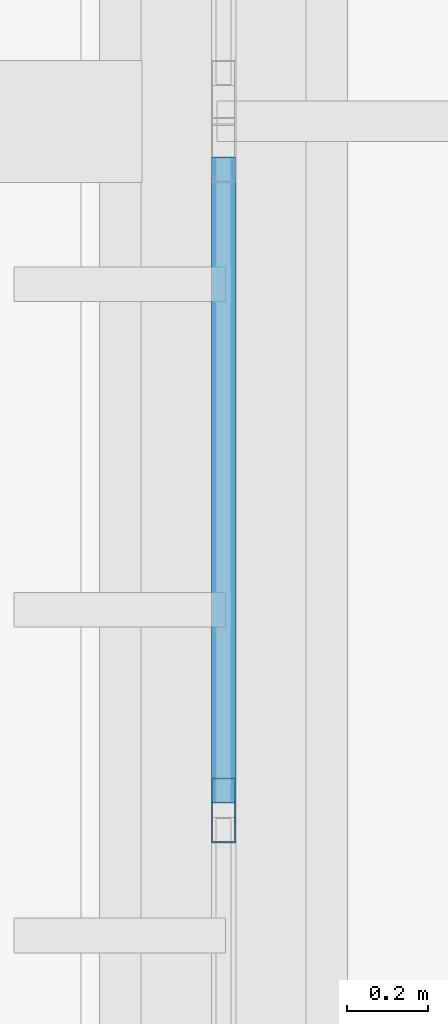
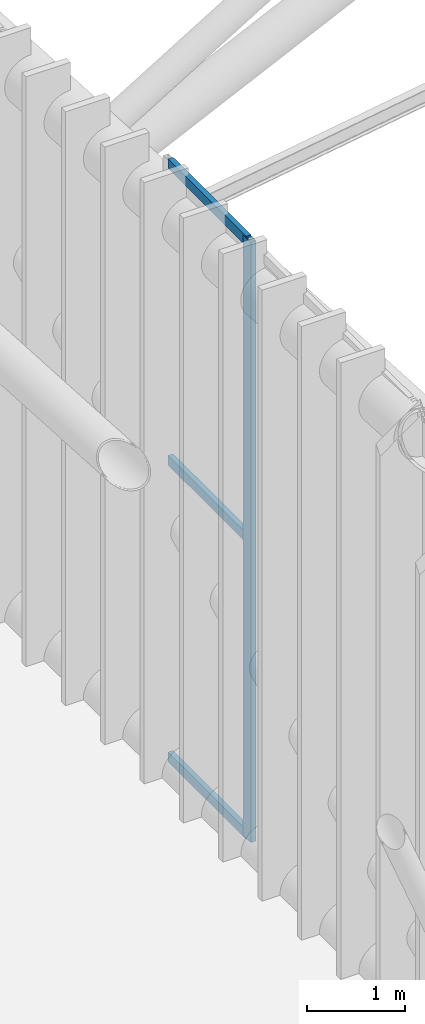
# One storey, part 177 of 397: 4 members, 1 element without a shape of its own.
"""IFC4 building model written with IfcOpenShell, lengths in metres."""

import ifcopenshell
import ifcopenshell.guid

model = None  # the IFC model being written
_history = None  # IfcOwnerHistory: only IFC2X3 demands one
_inside = {}  # id of a spatial element -> (the spatial element, [elements in it])
_under = {}  # id of a project, library or spatial element -> (it, [spatial elements below it])
_declared = {}  # id of a project -> (the project, [libraries it declares])
_typed = {}  # id of a type object -> (the type object, [elements of that type])
_made_of = {}  # id of a material, layer set ... -> (it, [elements and type objects made of it])


def new_model(schema):
    """Start an empty IFC model of exactly this schema.

    Asked for "IFC4X3", IfcOpenShell would pick the latest addendum, in which some entities
    have other attributes; the version numbers below select the first issue.
    IFC2X3 requires an IfcOwnerHistory on every rooted entity: one is made here for all.
    """
    global model, _history
    if schema == "IFC4X3":
        model = ifcopenshell.file(schema_version=(4, 3, 0, 0))
    else:
        model = ifcopenshell.file(schema=schema)
    _inside.clear()
    _under.clear()
    _declared.clear()
    _typed.clear()
    _made_of.clear()
    _history = None
    if model.schema == "IFC2X3":
        org = make("IfcOrganization", Name="unknown")
        user = make(
            "IfcPersonAndOrganization",
            ThePerson=make("IfcPerson", FamilyName="unknown"),
            TheOrganization=org,
        )
        app = make(
            "IfcApplication",
            ApplicationDeveloper=org,
            Version="unknown",
            ApplicationFullName="unknown",
            ApplicationIdentifier="unknown",
        )
        _history = make(
            "IfcOwnerHistory",
            OwningUser=user,
            OwningApplication=app,
            ChangeAction="ADDED",
            CreationDate=0,
        )
    return model


def make(cls, **values):
    """One entity of the class cls with the attributes given. An attribute that is None is left unset."""
    return model.create_entity(
        cls, **{name: value for name, value in values.items() if value is not None}
    )


def rooted(cls, **values):
    """An entity with a GlobalId (a new one), such as an element, a storey or a relation."""
    return make(cls, GlobalId=ifcopenshell.guid.new(), OwnerHistory=_history, **values)


def si_unit(unit_type, name, prefix=None):
    """IfcSIUnit, for example si_unit("LENGTHUNIT", "METRE", prefix="MILLI")."""
    return make("IfcSIUnit", UnitType=unit_type, Prefix=prefix, Name=name)


def assignment(units):
    """IfcUnitAssignment: the units of a project."""
    return None if units is None else make("IfcUnitAssignment", Units=units)


def point(xyz):
    """IfcCartesianPoint."""
    return None if xyz is None else make("IfcCartesianPoint", Coordinates=xyz)


def direction(xyz):
    """IfcDirection."""
    return None if xyz is None else make("IfcDirection", DirectionRatios=xyz)


def frame(location, z_axis=None, x_axis=None):
    """IfcAxis2Placement3D, a coordinate frame: its origin and axes. An axis left out is left unset."""
    return make(
        "IfcAxis2Placement3D",
        Location=point(location),
        Axis=direction(z_axis),
        RefDirection=direction(x_axis),
    )


def frame_2d(location, x_axis=None):
    """IfcAxis2Placement2D, a coordinate frame in the plane: its origin and x axis."""
    return make(
        "IfcAxis2Placement2D", Location=point(location), RefDirection=direction(x_axis)
    )


def origin():
    """The frame at (0, 0, 0) with its axes left unset."""
    return frame((0.0, 0.0, 0.0))


def origin_2d():
    """The frame at (0, 0) in the plane with its x axis left unset."""
    return frame_2d((0.0, 0.0))


def place(relative_to, where):
    """IfcLocalPlacement: puts the frame where relative to a parent placement (None: the world)."""
    return make(
        "IfcLocalPlacement", PlacementRelTo=relative_to, RelativePlacement=where
    )


def context(
    kind, dimensions, precision=None, world=None, true_north=None, identifier=None
):
    """IfcGeometricRepresentationContext, for example the 3D "Model" context."""
    return make(
        "IfcGeometricRepresentationContext",
        ContextIdentifier=identifier,
        ContextType=kind,
        CoordinateSpaceDimension=dimensions,
        Precision=precision,
        WorldCoordinateSystem=world,
        TrueNorth=true_north,
    )


def subcontext(parent, identifier, kind, view, scale=None):
    """IfcGeometricRepresentationSubContext, for example "Body" below "Model"."""
    return make(
        "IfcGeometricRepresentationSubContext",
        ContextIdentifier=identifier,
        ContextType=kind,
        ParentContext=parent,
        TargetScale=scale,
        TargetView=view,
    )


def project(units=None, contexts=None):
    """IfcProject with its units and contexts."""
    return rooted(
        "IfcProject",
        Name="project",
        RepresentationContexts=contexts,
        UnitsInContext=assignment(units),
    )


def spatial(cls, under=None, at=None, **own):
    """A site, building, storey or space (cls), placed at a placement, below another one or the project."""
    s = rooted(cls, ObjectPlacement=at, **own)
    if under is not None:
        _under.setdefault(under.id(), (under, []))[1].append(s)
    return s


def profile(cls, at=None, kind="AREA", **sizes):
    """A parametric profile (cls). Its sizes go by their IFC names, for example OverallWidth=200.0."""
    return make(cls, ProfileType=kind, Position=at, **sizes)


def hollow_rectangle(**sizes):
    """IfcRectangleHollowProfileDef."""
    return profile("IfcRectangleHollowProfileDef", **sizes)


def extrude(swept, where, along, depth):
    """IfcExtrudedAreaSolid: the profile swept, set in the frame where, extruded along a direction by depth."""
    return make(
        "IfcExtrudedAreaSolid",
        SweptArea=swept,
        Position=where,
        ExtrudedDirection=direction(along),
        Depth=depth,
    )


def shape(context_of_items, identifier, shape_type, items):
    """IfcShapeRepresentation: the items that make up one representation, for example the "Body"."""
    return make(
        "IfcShapeRepresentation",
        ContextOfItems=context_of_items,
        RepresentationIdentifier=identifier,
        RepresentationType=shape_type,
        Items=items,
    )


def material(Name=None, Category=None):
    """IfcMaterial."""
    return make("IfcMaterial", Name=Name, Category=Category)


def material_profile(
    of_material, cross_section, Name=None, Category=None, Priority=None
):
    """IfcMaterialProfile: a cross section and its material."""
    return make(
        "IfcMaterialProfile",
        Name=Name,
        Material=of_material,
        Profile=cross_section,
        Priority=Priority,
        Category=Category,
    )


def profile_set(profiles, Name=None, composite=None):
    """IfcMaterialProfileSet."""
    return make(
        "IfcMaterialProfileSet",
        Name=Name,
        MaterialProfiles=profiles,
        CompositeProfile=composite,
    )


def made_of(thing, what):
    """Note that an element or type object is made of a material, layer set ...; save() writes the relation."""
    if what is not None:
        _made_of.setdefault(what.id(), (what, []))[1].append(thing)
    return thing


def type_object(cls, material=None, **own):
    """A type object (cls), such as IfcWallType, which elements share."""
    return made_of(rooted(cls, **own), material)


def element(
    cls,
    number,
    at=None,
    inside=None,
    cuts=None,
    type_object=None,
    material=None,
    context=None,
    identifier="Body",
    shape_type=None,
    held_by="IfcProductDefinitionShape",
    body=None,
    shapes=None,
    **own,
):
    """One element of the class cls, such as IfcWall. Its Tag is "e" and its number.

    at: its placement. inside: the storey or other place that contains it. cuts: it is an
    opening in that element (IfcRelVoidsElement). A single representation is given by context,
    identifier, shape_type and body (its items); several are given by shapes. held_by: the class
    of the entity that holds the representations. save() writes the other relations.
    """
    e = rooted(cls, Tag="e%d" % number, ObjectPlacement=at, **own)
    if body is not None:
        shapes = [shape(context, identifier, shape_type, body)]
    if shapes is not None:
        e.Representation = make(held_by, Representations=shapes)
    if inside is not None:
        _inside.setdefault(inside.id(), (inside, []))[1].append(e)
    if cuts is not None:
        rooted(
            "IfcRelVoidsElement", RelatingBuildingElement=cuts, RelatedOpeningElement=e
        )
    if type_object is not None:
        _typed.setdefault(type_object.id(), (type_object, []))[1].append(e)
    return made_of(e, material)


def aggregate(whole, parts):
    """IfcRelAggregates: a whole, such as a stair, and the parts it consists of."""
    return rooted("IfcRelAggregates", RelatingObject=whole, RelatedObjects=parts)


def save(model, path):
    """Write the relations noted so far, then the file.

    IfcRelAggregates (storeys below a building ...), IfcRelContainedInSpatialStructure (elements
    in a storey), IfcRelDefinesByType, IfcRelAssociatesMaterial and IfcRelDeclares: one each for
    every whole, place, type object, material and project.
    """
    for whole, parts in _under.values():
        aggregate(whole, parts)
    for where, things in _inside.values():
        rooted(
            "IfcRelContainedInSpatialStructure",
            RelatedElements=things,
            RelatingStructure=where,
        )
    for kind, things in _typed.values():
        rooted("IfcRelDefinesByType", RelatedObjects=things, RelatingType=kind)
    for what, things in _made_of.values():
        rooted("IfcRelAssociatesMaterial", RelatedObjects=things, RelatingMaterial=what)
    for by, libraries in _declared.values():
        rooted("IfcRelDeclares", RelatingContext=by, RelatedDefinitions=libraries)
    model.write(path)


model = new_model("IFC4")

# Units and contexts
model_context = context("Model", 3, precision=1e-05, world=origin(), true_north=direction((0.0, 1.0)))
body_context = subcontext(model_context, "Body", "Model", "MODEL_VIEW")
ifc_project = project(units=[si_unit("LENGTHUNIT", "METRE"), si_unit("AREAUNIT", "SQUARE_METRE"), si_unit("VOLUMEUNIT", "CUBIC_METRE"), si_unit("PLANEANGLEUNIT", "RADIAN"), si_unit("MASSUNIT", "GRAM", prefix="KILO")], contexts=[model_context])

# Site, building, storey
site_placement = place(None, origin())
site = spatial("IfcSite", under=ifc_project, at=site_placement, CompositionType="ELEMENT")
building_placement = place(site_placement, origin())
building = spatial("IfcBuilding", under=site, at=building_placement, Name="Qandorah Velis Arena", CompositionType="ELEMENT")
storey_placement = place(building_placement, frame((0.0, 0.0, 27.5)))
storey = spatial("IfcBuildingStorey", under=building, at=storey_placement, Name="RF", CompositionType="ELEMENT", Elevation=27.5)

# Curtain wall, members
ifc_material_1 = material(Name="Solar-control low-E double glazing", Category="glass")
curtain_wall_type = type_object("IfcCurtainWallType", Name="ARC-CW-SYS05", PredefinedType="USERDEFINED", material=ifc_material_1)
curtain_wall_placement = place(storey_placement, origin())
curtain_wall = element("IfcCurtainWall", 1, at=curtain_wall_placement, inside=storey, type_object=curtain_wall_type, Name="Unitised curtain wall CROWN-1-05S1", ObjectType="UNITISED CURTAIN WALL", PredefinedType="USERDEFINED")
ifc_material_2 = material(Name="Champagne-bronze anodized aluminium 6063-T6", Category="aluminium")
ifc_material_profile_1 = material_profile(ifc_material_2, hollow_rectangle(XDim=0.06005859375, YDim=0.159912109375, WallThickness=0.00341796875, at=origin_2d()), Name="ALU MULLION 60x160")
ifc_profile_set_1 = profile_set([ifc_material_profile_1], Name="Champagne-bronze anodized aluminium 6063-T6")
member_type_1 = type_object("IfcMemberType", Name="ARC-CWM-160", PredefinedType="MULLION", material=ifc_profile_set_1)
member_1_placement = place(storey_placement, frame((14.39990234375, 77.507568359375, -0.014892578125), z_axis=(0.0, 0.0, 1.0), x_axis=(-1.0, 0.0, 0.0)))
member_1 = element("IfcMember", 2, at=member_1_placement, type_object=member_type_1, Name="CW05 mullion 4", PredefinedType="MULLION", context=body_context, shape_type="SweptSolid", body=[
    extrude(hollow_rectangle(XDim=0.06005859375, YDim=0.159912109375, WallThickness=0.00341796875, at=origin_2d()), origin(), (0.0, 0.0, 1.0), 7.452392578125),
])
ifc_material_profile_2 = material_profile(ifc_material_2, hollow_rectangle(XDim=0.06005859375, YDim=0.1201171875, WallThickness=0.0029296875, at=origin_2d()), Name="ALU TRANSOM 60x120")
ifc_profile_set_2 = profile_set([ifc_material_profile_2], Name="Champagne-bronze anodized aluminium 6063-T6")
member_type_2 = type_object("IfcMemberType", Name="ARC-CWT-120", PredefinedType="USERDEFINED", material=ifc_profile_set_2)
member_2_placement = place(storey_placement, frame((14.39990234375, 77.525390625, 0.030029296875), z_axis=(0.0, 1.0, 0.0), x_axis=(-1.0, 0.0, 0.0)))
member_2 = element("IfcMember", 3, at=member_2_placement, type_object=member_type_2, Name="CW05 transom 4.1", ObjectType="TRANSOM", PredefinedType="USERDEFINED", context=body_context, shape_type="SweptSolid", body=[
    extrude(hollow_rectangle(XDim=0.06005859375, YDim=0.1201171875, WallThickness=0.0029296875, at=origin_2d()), origin(), (0.0, 0.0, 1.0), 1.586669921875),
])
member_3_placement = place(storey_placement, frame((14.39990234375, 77.525390625, 3.711181640625), z_axis=(0.0, 1.0, 0.0), x_axis=(-1.0, 0.0, 0.0)))
member_3 = element("IfcMember", 4, at=member_3_placement, type_object=member_type_2, Name="CW05 transom 4.2", ObjectType="TRANSOM", PredefinedType="USERDEFINED", context=body_context, shape_type="SweptSolid", body=[
    extrude(hollow_rectangle(XDim=0.06005859375, YDim=0.1201171875, WallThickness=0.0029296875, at=origin_2d()), origin(), (0.0, 0.0, 1.0), 1.586669921875),
])
member_4_placement = place(storey_placement, frame((14.39990234375, 77.525390625, 7.392578125), z_axis=(0.0, 1.0, 0.0), x_axis=(-1.0, 0.0, 0.0)))
member_4 = element("IfcMember", 5, at=member_4_placement, type_object=member_type_2, Name="CW05 transom 4.3", ObjectType="TRANSOM", PredefinedType="USERDEFINED", context=body_context, shape_type="SweptSolid", body=[
    extrude(hollow_rectangle(XDim=0.06005859375, YDim=0.1201171875, WallThickness=0.0029296875, at=origin_2d()), origin(), (0.0, 0.0, 1.0), 1.586669921875),
])
aggregate(curtain_wall, [member_1, member_2, member_3, member_4])

save(model, "model.ifc")
